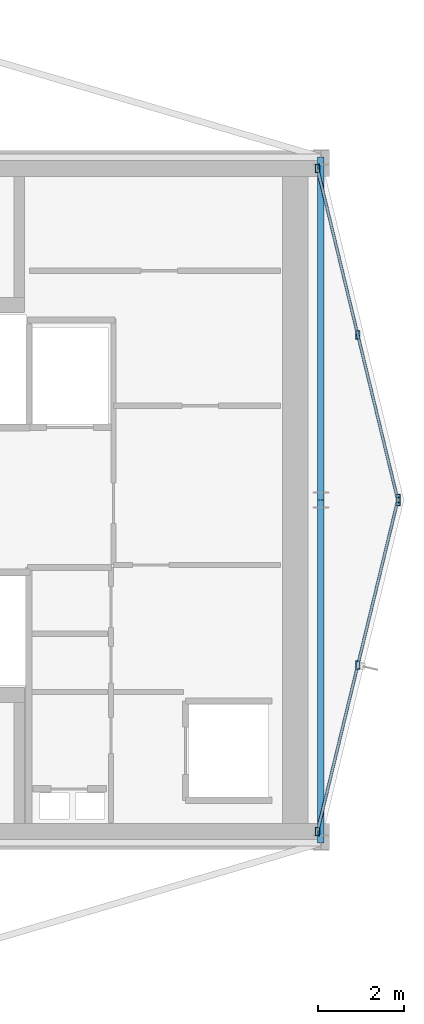
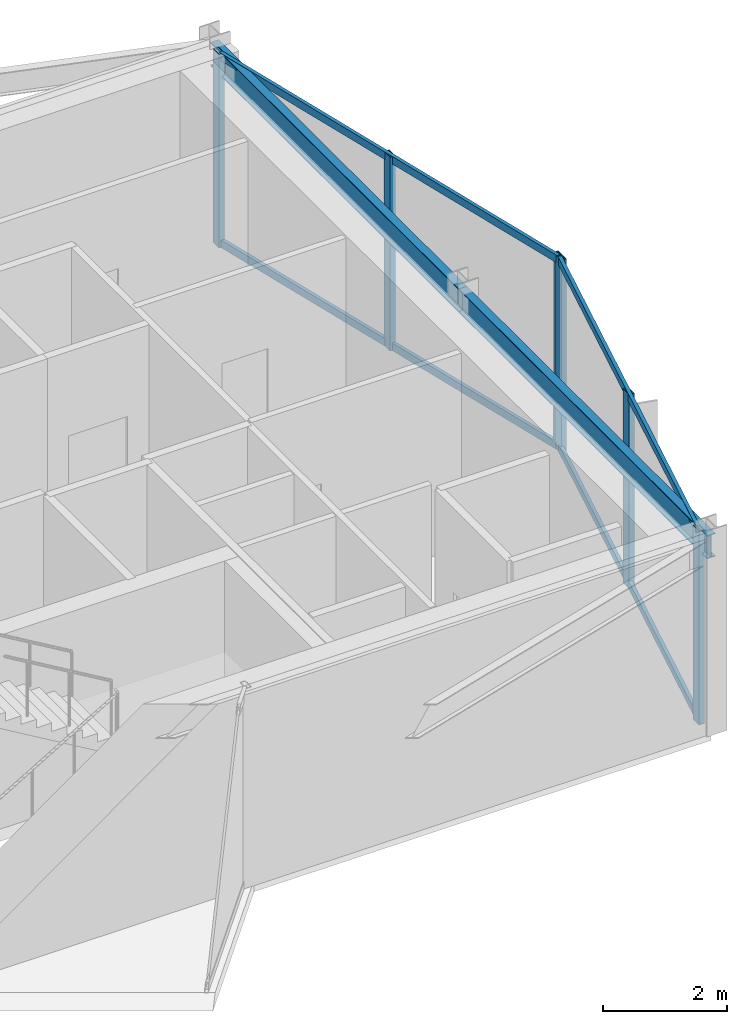
# One storey, part 8 of 14: 10 members, 2 beams, 2 elements without a shape of their own.
"""IFC4 building model written with IfcOpenShell, lengths in metres."""

from ifc_helpers import new_model, si_unit, direction, frame, origin, origin_2d, place, context, subcontext, project, spatial, hollow_rectangle, i_section, extrude, material, layer, layer_set, material_profile, profile_set, type_object, element, aggregate, save


model = new_model("IFC4")

# Units and contexts
model_context = context("Model", 3, precision=1e-05, world=origin(), true_north=direction((0.0, 1.0)))
body_context = subcontext(model_context, "Body", "Model", "MODEL_VIEW")
ifc_project = project(units=[si_unit("LENGTHUNIT", "METRE"), si_unit("AREAUNIT", "SQUARE_METRE"), si_unit("VOLUMEUNIT", "CUBIC_METRE"), si_unit("PLANEANGLEUNIT", "RADIAN"), si_unit("MASSUNIT", "GRAM", prefix="KILO")], contexts=[model_context])

# Site, building, storey
site_placement = place(None, origin())
site = spatial("IfcSite", under=ifc_project, at=site_placement, CompositionType="ELEMENT")
building_placement = place(site_placement, origin())
building = spatial("IfcBuilding", under=site, at=building_placement, Name="Veymaron Broadcast Tower", CompositionType="ELEMENT")
storey_placement = place(building_placement, frame((0.0, 0.0, 270.89990234375)))
storey = spatial("IfcBuildingStorey", under=building, at=storey_placement, Name="L63", CompositionType="ELEMENT", Elevation=270.89990234375)

# Beams
ifc_material_1 = material(Name="Structural steel ASTM A992 Gr 50", Category="steel")
ifc_material_profile_1 = material_profile(ifc_material_1, i_section(OverallWidth=0.154052734375, OverallDepth=0.458984375, WebThickness=0.009033203125, FlangeThickness=0.015380859375, at=origin_2d()), Name="W460X68")
ifc_profile_set_1 = profile_set([ifc_material_profile_1], Name="Structural steel ASTM A992 Gr 50")
beam_type = type_object("IfcBeamType", Name="BM-SP2", PredefinedType="SPANDREL", material=ifc_profile_set_1)
for number, where, z_axis, x_axis, name in (
    (1, (54.60009765625, 16.0, 3.58056640625), (0.0, 1.0, 0.0), (-1.0, 0.0, 0.0), "L63 primary structural floor girder"),
    (2, (54.60009765625, 24.0, 3.58056640625), (0.0, 1.0, 0.0), (-1.0, 0.0, 0.0), "L63 primary structural floor girder"),
):
    element("IfcBeam", number, at=place(storey_placement, frame(where, z_axis=z_axis, x_axis=x_axis)), inside=storey, type_object=beam_type, Name=name, PredefinedType="SPANDREL", context=body_context, shape_type="SweptSolid", body=[
        extrude(i_section(OverallWidth=0.154052734375, OverallDepth=0.458984375, WebThickness=0.009033203125, FlangeThickness=0.015380859375, at=origin_2d()), origin(), (0.0, 0.0, 1.0), 8.0),
    ])

# Curtain wall, members
ifc_material_2 = material(Name="Anodised aluminium AA 6063-T6 and laminated low-E dark glass", Category="aluminium")
ifc_layer = layer(ifc_material_2, 0.179931640625)
ifc_layer_set = layer_set([ifc_layer], Name="Anodised aluminium AA 6063-T6 and laminated low-E dark glass")
curtain_wall_type = type_object("IfcCurtainWallType", Name="CW-SYS-06", PredefinedType="NOTDEFINED", material=ifc_layer_set)
curtain_wall_1_placement = place(storey_placement, origin())
curtain_wall_1 = element("IfcCurtainWall", 3, at=curtain_wall_1_placement, inside=storey, type_object=curtain_wall_type, Name="L63 dark-glass curtain wall CW-L63-E2-1", PredefinedType="NOTDEFINED")
ifc_material_3 = material(Name="Anodised aluminium AA 6063-T6", Category="aluminium")
ifc_material_profile_2 = material_profile(ifc_material_3, hollow_rectangle(XDim=0.10009765625, YDim=0.199951171875, WallThickness=0.010009765625, at=origin_2d()), Name="RHS200X100X10")
ifc_profile_set_2 = profile_set([ifc_material_profile_2], Name="Anodised aluminium AA 6063-T6")
member_type_1 = type_object("IfcMemberType", Name="CW-MUL-01", PredefinedType="MULLION", material=ifc_profile_set_2)
member_1_placement = place(storey_placement, frame((54.520751953125, 16.26708984375, 0.0), z_axis=(0.0, 0.0, 1.0), x_axis=(1.0, 0.0, 0.0)))
member_1 = element("IfcMember", 4, at=member_1_placement, type_object=member_type_1, Name="CW-L63-E2-1 mullion 0", PredefinedType="MULLION", context=body_context, shape_type="SweptSolid", body=[
    extrude(hollow_rectangle(XDim=0.10009765625, YDim=0.199951171875, WallThickness=0.010009765625, at=origin_2d()), origin(), (0.0, 0.0, 1.0), 3.81005859375),
])
member_2_placement = place(storey_placement, frame((55.46240234375, 20.14990234375, 0.0), z_axis=(0.0, 0.0, 1.0), x_axis=(1.0, 0.0, 0.0)))
member_2 = element("IfcMember", 5, at=member_2_placement, type_object=member_type_1, Name="CW-L63-E2-1 mullion 1", PredefinedType="MULLION", context=body_context, shape_type="SweptSolid", body=[
    extrude(hollow_rectangle(XDim=0.10009765625, YDim=0.199951171875, WallThickness=0.010009765625, at=origin_2d()), origin(), (0.0, 0.0, 1.0), 3.81005859375),
])
member_3_placement = place(storey_placement, frame((56.404296875, 24.032958984375, 0.0), z_axis=(0.0, 0.0, 1.0), x_axis=(1.0, 0.0, 0.0)))
member_3 = element("IfcMember", 6, at=member_3_placement, type_object=member_type_1, Name="CW-L63-E2-1 mullion 2", PredefinedType="MULLION", context=body_context, shape_type="SweptSolid", body=[
    extrude(hollow_rectangle(XDim=0.10009765625, YDim=0.199951171875, WallThickness=0.010009765625, at=origin_2d()), origin(), (0.0, 0.0, 1.0), 3.81005859375),
])

curtain_wall_2_placement = place(storey_placement, origin())
curtain_wall_2 = element("IfcCurtainWall", 7, at=curtain_wall_2_placement, inside=storey, type_object=curtain_wall_type, Name="L63 dark-glass curtain wall CW-L63-E3-1", PredefinedType="NOTDEFINED")
member_4_placement = place(storey_placement, frame((56.404296875, 23.967041015625, 0.0), z_axis=(0.0, 0.0, 1.0), x_axis=(1.0, 0.0, 0.0)))
member_4 = element("IfcMember", 8, at=member_4_placement, type_object=member_type_1, Name="CW-L63-E3-1 mullion 0", PredefinedType="MULLION", context=body_context, shape_type="SweptSolid", body=[
    extrude(hollow_rectangle(XDim=0.10009765625, YDim=0.199951171875, WallThickness=0.010009765625, at=origin_2d()), origin(), (0.0, 0.0, 1.0), 3.81005859375),
])
member_5_placement = place(storey_placement, frame((55.46240234375, 27.85009765625, 0.0), z_axis=(0.0, 0.0, 1.0), x_axis=(1.0, 0.0, 0.0)))
member_5 = element("IfcMember", 9, at=member_5_placement, type_object=member_type_1, Name="CW-L63-E3-1 mullion 1", PredefinedType="MULLION", context=body_context, shape_type="SweptSolid", body=[
    extrude(hollow_rectangle(XDim=0.10009765625, YDim=0.199951171875, WallThickness=0.010009765625, at=origin_2d()), origin(), (0.0, 0.0, 1.0), 3.81005859375),
])
member_6_placement = place(storey_placement, frame((54.520751953125, 31.73291015625, 0.0), z_axis=(0.0, 0.0, 1.0), x_axis=(1.0, 0.0, 0.0)))
member_6 = element("IfcMember", 10, at=member_6_placement, type_object=member_type_1, Name="CW-L63-E3-1 mullion 2", PredefinedType="MULLION", context=body_context, shape_type="SweptSolid", body=[
    extrude(hollow_rectangle(XDim=0.10009765625, YDim=0.199951171875, WallThickness=0.010009765625, at=origin_2d()), origin(), (0.0, 0.0, 1.0), 3.81005859375),
])

# Member
ifc_material_profile_3 = material_profile(ifc_material_3, hollow_rectangle(XDim=0.06494140625, YDim=0.14990234375, WallThickness=0.00390625, at=origin_2d()), Name="AL150X65X4")
ifc_profile_set_3 = profile_set([ifc_material_profile_3], Name="Anodised aluminium AA 6063-T6")
member_type_2 = type_object("IfcMemberType", Name="CW-TRN-01", PredefinedType="USERDEFINED", material=ifc_profile_set_3)
member_7_placement = place(storey_placement, frame((54.532470703125, 16.315673828125, 0.070068359375), z_axis=(0.235723108304, 0.97182025921, 0.0), x_axis=(-0.97182025921, 0.235723108304, 0.0)))
member_7 = element("IfcMember", 11, at=member_7_placement, type_object=member_type_2, Name="CW-L63-E2-1 transom B", ObjectType="TRANSOM", PredefinedType="USERDEFINED", context=body_context, shape_type="SweptSolid", body=[
    extrude(hollow_rectangle(XDim=0.06494140625, YDim=0.14990234375, WallThickness=0.00390625, at=origin_2d()), origin(), (0.0, 0.0, 1.0), 7.89111328125),
])

member_8_placement = place(storey_placement, frame((54.532470703125, 16.315673828125, 3.739990234375), z_axis=(0.235723108304, 0.97182025921, 0.0), x_axis=(-0.97182025921, 0.235723108304, 0.0)))
member_8 = element("IfcMember", 12, at=member_8_placement, type_object=member_type_2, Name="CW-L63-E2-1 transom T", ObjectType="TRANSOM", PredefinedType="USERDEFINED", context=body_context, shape_type="SweptSolid", body=[
    extrude(hollow_rectangle(XDim=0.06494140625, YDim=0.14990234375, WallThickness=0.00390625, at=origin_2d()), origin(), (0.0, 0.0, 1.0), 7.89111328125),
])

aggregate(curtain_wall_1, [member_1, member_2, member_3, member_7, member_8])

member_9_placement = place(storey_placement, frame((56.392578125, 24.015625, 0.070068359375), z_axis=(-0.235723108304, 0.97182025921, 0.0), x_axis=(-0.97182025921, -0.235723108304, 0.0)))
member_9 = element("IfcMember", 13, at=member_9_placement, type_object=member_type_2, Name="CW-L63-E3-1 transom B", ObjectType="TRANSOM", PredefinedType="USERDEFINED", context=body_context, shape_type="SweptSolid", body=[
    extrude(hollow_rectangle(XDim=0.06494140625, YDim=0.14990234375, WallThickness=0.00390625, at=origin_2d()), origin(), (0.0, 0.0, 1.0), 7.89111328125),
])

member_10_placement = place(storey_placement, frame((56.392578125, 24.015625, 3.739990234375), z_axis=(-0.235723108304, 0.97182025921, 0.0), x_axis=(-0.97182025921, -0.235723108304, 0.0)))
member_10 = element("IfcMember", 14, at=member_10_placement, type_object=member_type_2, Name="CW-L63-E3-1 transom T", ObjectType="TRANSOM", PredefinedType="USERDEFINED", context=body_context, shape_type="SweptSolid", body=[
    extrude(hollow_rectangle(XDim=0.06494140625, YDim=0.14990234375, WallThickness=0.00390625, at=origin_2d()), origin(), (0.0, 0.0, 1.0), 7.89111328125),
])

aggregate(curtain_wall_2, [member_4, member_5, member_6, member_9, member_10])

save(model, "model.ifc")
